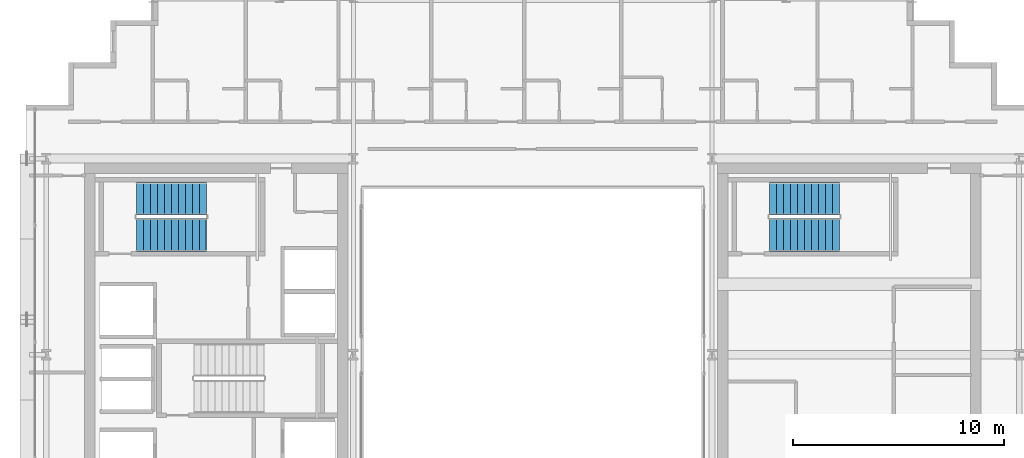
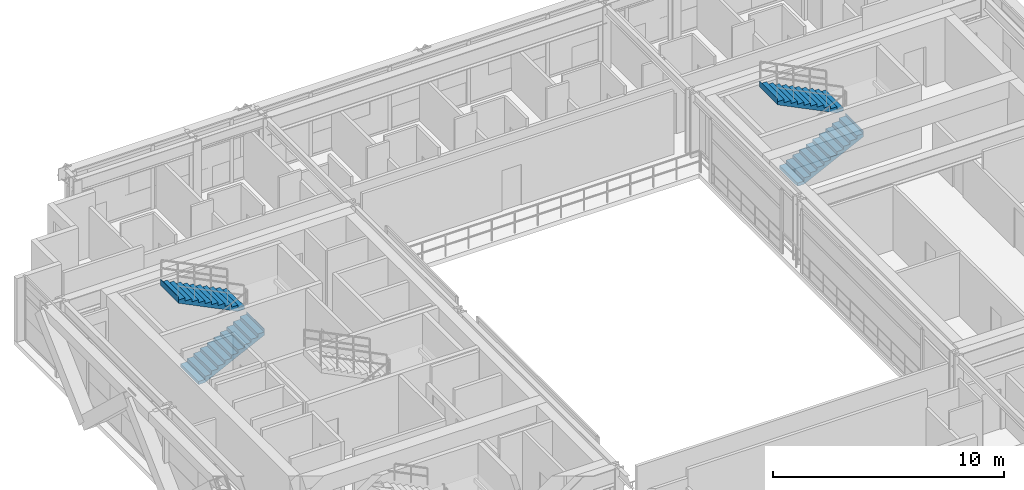
# One storey, part 34 of 38: 4 stair flights, 2 elements without a shape of their own.
"""IFC4 building model written with IfcOpenShell, lengths in metres."""

from ifc_helpers import new_model, si_unit, direction, frame, origin, place, context, subcontext, project, spatial, polyline, outline, extrude, source, transform, mapped, material, type_object, element, aggregate, save


model = new_model("IFC4")

# Units and contexts
model_context = context("Model", 3, precision=1e-05, world=origin(), true_north=direction((0.0, 1.0)))
body_context = subcontext(model_context, "Body", "Model", "MODEL_VIEW")
ifc_project = project(units=[si_unit("LENGTHUNIT", "METRE"), si_unit("AREAUNIT", "SQUARE_METRE"), si_unit("VOLUMEUNIT", "CUBIC_METRE"), si_unit("PLANEANGLEUNIT", "RADIAN"), si_unit("MASSUNIT", "GRAM", prefix="KILO")], contexts=[model_context])

# Site, building, storey
site_placement = place(None, origin())
site = spatial("IfcSite", under=ifc_project, at=site_placement, CompositionType="ELEMENT")
building_placement = place(site_placement, origin())
building = spatial("IfcBuilding", under=site, at=building_placement, Name="Ocotamira Hotel", CompositionType="ELEMENT")
storey_placement = place(building_placement, frame((0.0, 0.0, 170.39990234375)))
storey = spatial("IfcBuildingStorey", under=building, at=storey_placement, Name="L42", CompositionType="ELEMENT", Elevation=170.39990234375)

# Stair, stair flights
ifc_material = material(Name="Concrete C40/50", Category="concrete")
stair_type = type_object("IfcStairType", Name="ST-CORE-1560", PredefinedType="HALF_TURN_STAIR", material=ifc_material)
stair_1_placement = place(storey_placement, origin())
stair_1 = element("IfcStair", 1, at=stair_1_placement, inside=storey, type_object=stair_type, Name="L42 Exit Stair ST-2", PredefinedType="HALF_TURN_STAIR")
stair_flight_type = type_object("IfcStairFlightType", Name="STF-CORE-1560", PredefinedType="STRAIGHT", material=ifc_material)
shared_shape = source(origin(), body_context, "Body", "SweptSolid", [
    extrude(outline(polyline([(-0.00390625, 0.0), (-0.00390625, 0.16357421875), (0.330078125, 0.16357421875), (0.330078125, 0.327392578125), (0.659912109375, 0.327392578125), (0.659912109375, 0.490966796875), (0.989990234375, 0.490966796875), (0.989990234375, 0.654541015625), (1.320068359375, 0.654541015625), (1.320068359375, 0.818115234375), (1.64990234375, 0.818115234375), (1.64990234375, 0.98193359375), (1.97998046875, 0.98193359375), (1.97998046875, 1.1455078125), (2.31005859375, 1.1455078125), (2.31005859375, 1.30908203125), (2.639892578125, 1.30908203125), (2.639892578125, 1.47265625), (2.969970703125, 1.47265625), (2.969970703125, 1.636474609375), (3.300048828125, 1.636474609375), (3.300048828125, 1.800048828125), (3.303955078125, 1.800048828125), (3.303955078125, 1.468994140625), (0.33740234375, 0.0), (-0.00390625, 0.0)])), frame((0.0, 0.780029296875, 0.0), z_axis=(0.0, -1.0, 0.0), x_axis=(1.0, 0.0, 0.0)), (0.0, 0.0, 1.0), 1.56005859375),
])
stair_flight_1_placement = place(storey_placement, frame((13.22998046875, 33.830078125, 0.0), z_axis=(0.0, 0.0, 1.0), x_axis=(1.0, 0.0, 0.0)))
stair_flight_1 = element("IfcStairFlight", 2, at=stair_flight_1_placement, type_object=stair_flight_type, Name="ST-2 flight 1", NumberOfRisers=11, NumberOfTreads=10, PredefinedType="STRAIGHT", RiserHeight=0.163636364, TreadLength=0.33, context=body_context, shape_type="MappedRepresentation", body=[
    mapped(shared_shape, transform((0.0, 0.0, 0.0), scale=1.0)),
])
stair_flight_2_placement = place(storey_placement, frame((16.530029296875, 35.550048828125, 1.800048828125), z_axis=(0.0, 0.0, 1.0), x_axis=(-1.0, 0.0, 0.0)))
stair_flight_2 = element("IfcStairFlight", 3, at=stair_flight_2_placement, type_object=stair_flight_type, Name="ST-2 flight 2", NumberOfRisers=11, NumberOfTreads=10, PredefinedType="STRAIGHT", RiserHeight=0.163636364, TreadLength=0.33, context=body_context, shape_type="MappedRepresentation", body=[
    mapped(shared_shape, transform((0.0, 0.0, 0.0), scale=1.0)),
])
aggregate(stair_1, [stair_flight_1, stair_flight_2])

stair_2_placement = place(storey_placement, origin())
stair_2 = element("IfcStair", 4, at=stair_2_placement, inside=storey, type_object=stair_type, Name="L42 Exit Stair ST-4", PredefinedType="HALF_TURN_STAIR")
stair_flight_3_placement = place(storey_placement, frame((43.22998046875, 33.830078125, 0.0), z_axis=(0.0, 0.0, 1.0), x_axis=(1.0, 0.0, 0.0)))
stair_flight_3 = element("IfcStairFlight", 5, at=stair_flight_3_placement, type_object=stair_flight_type, Name="ST-4 flight 1", NumberOfRisers=11, NumberOfTreads=10, PredefinedType="STRAIGHT", RiserHeight=0.163636364, TreadLength=0.33, context=body_context, shape_type="MappedRepresentation", body=[
    mapped(shared_shape, transform((0.0, 0.0, 0.0), scale=1.0)),
])
stair_flight_4_placement = place(storey_placement, frame((46.530029296875, 35.550048828125, 1.800048828125), z_axis=(0.0, 0.0, 1.0), x_axis=(-1.0, 0.0, 0.0)))
stair_flight_4 = element("IfcStairFlight", 6, at=stair_flight_4_placement, type_object=stair_flight_type, Name="ST-4 flight 2", NumberOfRisers=11, NumberOfTreads=10, PredefinedType="STRAIGHT", RiserHeight=0.163636364, TreadLength=0.33, context=body_context, shape_type="MappedRepresentation", body=[
    mapped(shared_shape, transform((0.0, 0.0, 0.0), scale=1.0)),
])
aggregate(stair_2, [stair_flight_3, stair_flight_4])

save(model, "model.ifc")
